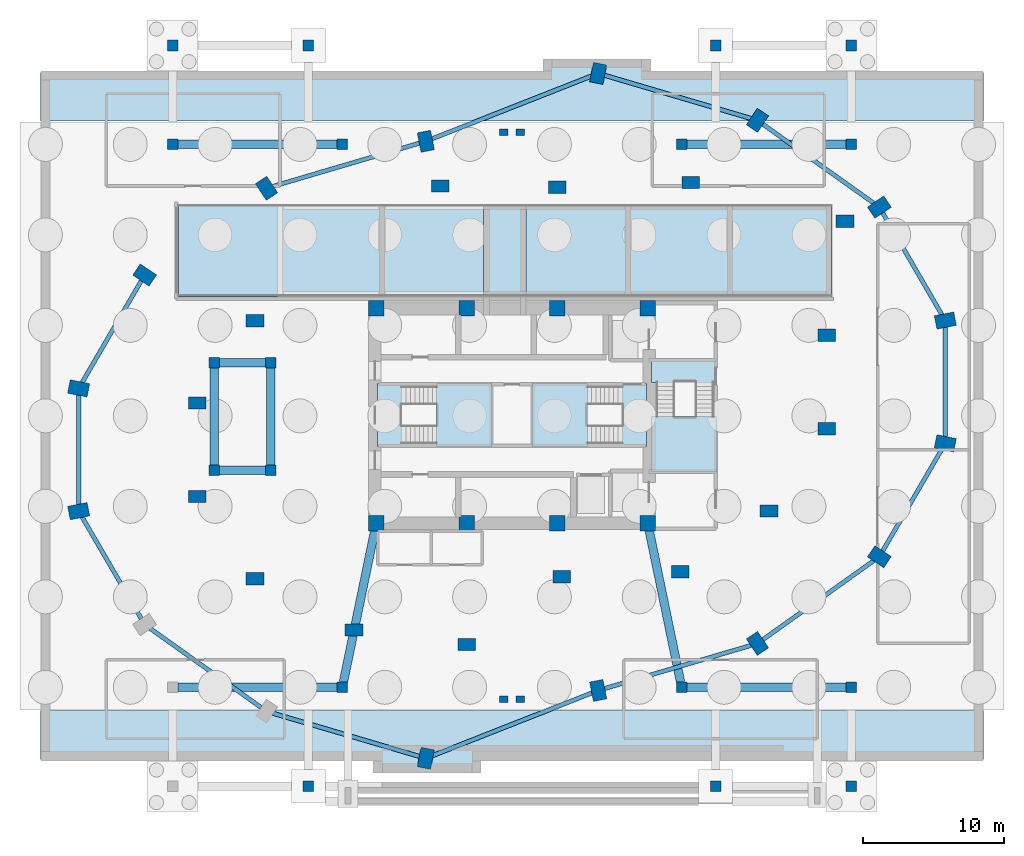
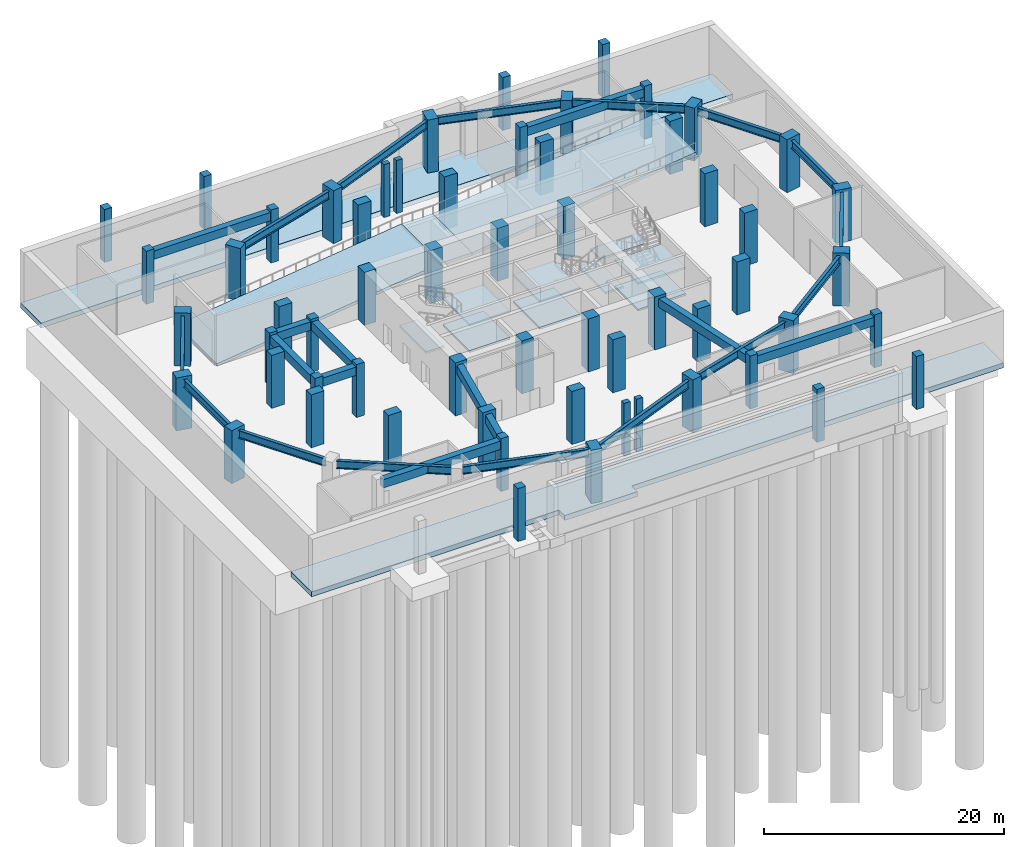
# One storey, part 2 of 8: 59 columns, 25 beams, 14 slabs, 3 elements without a shape of their own.
"""IFC4 building model written with IfcOpenShell, lengths in metres."""

from ifc_helpers import new_model, si_unit, direction, frame, origin, origin_2d, place, context, subcontext, project, spatial, polyline, rectangle, i_section, outline, extrude, material, layer, layer_set, material_profile, profile_set, type_object, element, aggregate, save


model = new_model("IFC4")

# Units and contexts
model_context = context("Model", 3, precision=1e-05, world=origin(), true_north=direction((0.0, 1.0)))
body_context = subcontext(model_context, "Body", "Model", "MODEL_VIEW")
ifc_project = project(units=[si_unit("LENGTHUNIT", "METRE"), si_unit("AREAUNIT", "SQUARE_METRE"), si_unit("VOLUMEUNIT", "CUBIC_METRE"), si_unit("PLANEANGLEUNIT", "RADIAN"), si_unit("MASSUNIT", "GRAM", prefix="KILO")], contexts=[model_context])

# Site, building, storey
site_placement = place(None, origin())
site = spatial("IfcSite", under=ifc_project, at=site_placement, CompositionType="ELEMENT")
building_placement = place(site_placement, origin())
building = spatial("IfcBuilding", under=site, at=building_placement, Name="Lazwardi Medical Tower", CompositionType="ELEMENT")
storey_placement = place(building_placement, frame((0.0, 0.0, -5.39990234375)))
storey = spatial("IfcBuildingStorey", under=building, at=storey_placement, Name="B1", CompositionType="ELEMENT", Elevation=-5.39990234375)

# Columns
ifc_material_1 = material(Name="Concrete C80/95", Category="concrete")
ifc_material_profile_1 = material_profile(ifc_material_1, rectangle(XDim=1.10009765625, YDim=1.10009765625, at=origin_2d()), Name="RC 1100x1100")
ifc_profile_set_1 = profile_set([ifc_material_profile_1], Name="Concrete C80/95")
column_type_1 = type_object("IfcColumnType", Name="COL-CC-L", PredefinedType="COLUMN", material=ifc_profile_set_1)
for number, where, z_axis, x_axis, name in (
    (1, (26.39990234375, 20.39990234375, 0.0), (0.0, 0.0, 1.0), (1.0, 0.0, 0.0), "Core column CC-01 CC1 B1"),
    (2, (32.800048828125, 20.39990234375, 0.0), (0.0, 0.0, 1.0), (1.0, 0.0, 0.0), "Core column CC-01 CC2 B1"),
    (3, (39.199951171875, 20.39990234375, 0.0), (0.0, 0.0, 1.0), (1.0, 0.0, 0.0), "Core column CC-01 CC3 B1"),
    (4, (45.60009765625, 20.39990234375, 0.0), (0.0, 0.0, 1.0), (1.0, 0.0, 0.0), "Core column CC-01 CC4 B1"),
    (5, (45.60009765625, 35.60009765625, 0.0), (0.0, 0.0, 1.0), (1.0, 0.0, 0.0), "Core column CC-01 CC5 B1"),
    (6, (39.199951171875, 35.60009765625, 0.0), (0.0, 0.0, 1.0), (1.0, 0.0, 0.0), "Core column CC-01 CC6 B1"),
    (7, (32.800048828125, 35.60009765625, 0.0), (0.0, 0.0, 1.0), (1.0, 0.0, 0.0), "Core column CC-01 CC7 B1"),
    (8, (26.39990234375, 35.60009765625, 0.0), (0.0, 0.0, 1.0), (1.0, 0.0, 0.0), "Core column CC-01 CC8 B1"),
):
    element("IfcColumn", number, at=place(storey_placement, frame(where, z_axis=z_axis, x_axis=x_axis)), inside=storey, type_object=column_type_1, Name=name, PredefinedType="COLUMN", context=body_context, shape_type="SweptSolid", body=[
        extrude(rectangle(XDim=1.10009765625, YDim=1.10009765625, at=origin_2d()), origin(), (0.0, 0.0, 1.0), 5.39990234375),
    ])
ifc_material_profile_2 = material_profile(ifc_material_1, rectangle(XDim=1.39990234375, YDim=0.9599609375, at=origin_2d()), Name="CFT-RECT 1400x960")
ifc_profile_set_2 = profile_set([ifc_material_profile_2], Name="Concrete C80/95")
column_type_2 = type_object("IfcColumnType", Name="COL-MC-B1", PredefinedType="COLUMN", material=ifc_profile_set_2)
for number, where, z_axis, x_axis, name in (
    (9, (42.0966796875, 8.577392578125, 0.0), (0.0, 0.0, 1.0), (0.195090322016, -0.980785280403, 0.0), "Mega column MC-01 M01 B1"),
    (10, (53.361572265625, 11.89990234375, 0.0), (0.0, 0.0, 1.0), (0.55557023302, -0.831469612303, 0.0), "Mega column MC-01 M02 B1"),
    (11, (61.9833984375, 18.03857421875, 0.0), (0.0, 0.0, 1.0), (0.831469612303, -0.55557023302, 0.0), "Mega column MC-01 M03 B1"),
    (12, (66.6494140625, 26.05908203125, 0.0), (0.0, 0.0, 1.0), (0.980785280403, -0.195090322016, 0.0), "Mega column MC-01 M04 B1"),
    (13, (66.6494140625, 34.74072265625, 0.0), (0.0, 0.0, 1.0), (0.980785280403, 0.195090322016, 0.0), "Mega column MC-01 M05 B1"),
    (14, (61.9833984375, 42.761474609375, 0.0), (0.0, 0.0, 1.0), (0.831469612303, 0.55557023302, 0.0), "Mega column MC-01 M06 B1"),
    (15, (53.361572265625, 48.900146484375, 0.0), (0.0, 0.0, 1.0), (0.55557023302, 0.831469612303, 0.0), "Mega column MC-01 M07 B1"),
    (16, (42.0966796875, 52.222412109375, 0.0), (0.0, 0.0, 1.0), (0.195090322016, 0.980785280403, 0.0), "Mega column MC-01 M08 B1"),
    (17, (29.9033203125, 47.422607421875, 0.0), (0.0, 0.0, 1.0), (-0.195090322016, 0.980785280403, 0.0), "Mega column MC-01 M09 B1"),
    (18, (18.638427734375, 44.10009765625, 0.0), (0.0, 0.0, 1.0), (-0.55557023302, 0.831469612303, 0.0), "Mega column MC-01 M10 B1"),
    (19, (10.0166015625, 37.96142578125, 0.0), (0.0, 0.0, 1.0), (-0.831469612303, 0.55557023302, 0.0), "Mega column MC-01 M11 B1"),
    (20, (5.3505859375, 29.94091796875, 0.0), (0.0, 0.0, 1.0), (-0.980785280403, 0.195090322016, 0.0), "Mega column MC-01 M12 B1"),
    (21, (5.3505859375, 21.25927734375, 0.0), (0.0, 0.0, 1.0), (-0.980785280403, -0.195090322016, 0.0), "Mega column MC-01 M13 B1"),
    (22, (29.9033203125, 3.777587890625, 0.0), (0.0, 0.0, 1.0), (-0.195090322016, -0.980785280403, 0.0), "Mega column MC-01 M16 B1"),
):
    element("IfcColumn", number, at=place(storey_placement, frame(where, z_axis=z_axis, x_axis=x_axis)), inside=storey, type_object=column_type_2, Name=name, PredefinedType="COLUMN", context=body_context, shape_type="SweptSolid", body=[
        extrude(rectangle(XDim=1.39990234375, YDim=0.9599609375, at=origin_2d()), origin(), (0.0, 0.0, 1.0), 5.39990234375),
    ])
ifc_material_2 = material(Name="Concrete C70/85", Category="concrete")
ifc_material_profile_3 = material_profile(ifc_material_2, rectangle(XDim=1.25, YDim=0.860107421875, at=origin_2d()), Name="CFT-RECT 1250x860")
ifc_profile_set_3 = profile_set([ifc_material_profile_3], Name="Concrete C70/85")
column_type_3 = type_object("IfcColumnType", Name="COL-MC-Z1", PredefinedType="COLUMN", material=ifc_profile_set_3)
for number, where, z_axis, x_axis, name in (
    (23, (39.52001953125, 16.625, 0.0), (0.0, 0.0, 1.0), (1.0, 0.0, 0.0), "Mega column MC-03 PM01 B1"),
    (24, (47.902099609375, 16.970947265625, 0.0), (0.0, 0.0, 1.0), (1.0, 0.0, 0.0), "Mega column MC-03 PM02 B1"),
    (25, (54.177001953125, 21.27587890625, 0.0), (0.0, 0.0, 1.0), (1.0, 0.0, 0.0), "Mega column MC-03 PM03 B1"),
    (26, (58.262939453125, 27.093994140625, 0.0), (0.0, 0.0, 1.0), (1.0, 0.0, 0.0), "Mega column MC-03 PM04 B1"),
    (27, (58.262939453125, 33.7060546875, 0.0), (0.0, 0.0, 1.0), (1.0, 0.0, 0.0), "Mega column MC-03 PM05 B1"),
    (28, (59.550048828125, 41.760009765625, 0.0), (0.0, 0.0, 1.0), (1.0, 0.0, 0.0), "Mega column MC-03 PM06 B1"),
    (29, (48.634033203125, 44.510009765625, 0.0), (0.0, 0.0, 1.0), (1.0, 0.0, 0.0), "Mega column MC-03 PM07 B1"),
    (30, (39.199951171875, 44.175048828125, 0.0), (0.0, 0.0, 1.0), (1.0, 0.0, 0.0), "Mega column MC-03 PM08 B1"),
    (31, (30.919921875, 44.25, 0.0), (0.0, 0.0, 1.0), (1.0, 0.0, 0.0), "Mega column MC-03 PM09 B1"),
    (32, (17.822998046875, 34.72412109375, 0.0), (0.0, 0.0, 1.0), (1.0, 0.0, 0.0), "Mega column MC-03 PM11 B1"),
    (33, (13.737060546875, 28.906005859375, 0.0), (0.0, 0.0, 1.0), (1.0, 0.0, 0.0), "Mega column MC-03 PM12 B1"),
    (34, (13.737060546875, 22.2939453125, 0.0), (0.0, 0.0, 1.0), (1.0, 0.0, 0.0), "Mega column MC-03 PM13 B1"),
    (35, (17.822998046875, 16.47607421875, 0.0), (0.0, 0.0, 1.0), (1.0, 0.0, 0.0), "Mega column MC-03 PM14 B1"),
    (36, (24.8291015625, 12.85302734375, 0.0), (0.0, 0.0, 1.0), (1.0, 0.0, 0.0), "Mega column MC-03 PM15 B1"),
    (37, (32.800048828125, 11.824951171875, 0.0), (0.0, 0.0, 1.0), (1.0, 0.0, 0.0), "Mega column MC-03 PM16 B1"),
):
    element("IfcColumn", number, at=place(storey_placement, frame(where, z_axis=z_axis, x_axis=x_axis)), inside=storey, type_object=column_type_3, Name=name, PredefinedType="COLUMN", context=body_context, shape_type="SweptSolid", body=[
        extrude(rectangle(XDim=1.25, YDim=0.860107421875, at=origin_2d()), origin(), (0.0, 0.0, 1.0), 5.39990234375),
    ])
ifc_material_3 = material(Name="Concrete C50/60", Category="concrete")
ifc_material_profile_4 = material_profile(ifc_material_3, rectangle(XDim=0.75, YDim=0.75, at=origin_2d()), Name="RC 750x750")
ifc_profile_set_4 = profile_set([ifc_material_profile_4], Name="Concrete C50/60")
column_type_4 = type_object("IfcColumnType", Name="COL-PC-B1", PredefinedType="COLUMN", material=ifc_profile_set_4)
for number, where, z_axis, x_axis, name in (
    (38, (24.0, 8.800048828125, 0.0), (0.0, 0.0, 1.0), (1.0, 0.0, 0.0), "Basement column PC-01 BP02"),
    (39, (48.0, 8.800048828125, 0.0), (0.0, 0.0, 1.0), (1.0, 0.0, 0.0), "Basement column PC-01 BP03"),
    (40, (60.0, 8.800048828125, 0.0), (0.0, 0.0, 1.0), (1.0, 0.0, 0.0), "Basement column PC-01 BP04"),
    (41, (12.0, 47.199951171875, 0.0), (0.0, 0.0, 1.0), (1.0, 0.0, 0.0), "Basement column PC-01 BP05"),
    (42, (24.0, 47.199951171875, 0.0), (0.0, 0.0, 1.0), (1.0, 0.0, 0.0), "Basement column PC-01 BP06"),
    (43, (48.0, 47.199951171875, 0.0), (0.0, 0.0, 1.0), (1.0, 0.0, 0.0), "Basement column PC-01 BP07"),
    (44, (60.0, 47.199951171875, 0.0), (0.0, 0.0, 1.0), (1.0, 0.0, 0.0), "Basement column PC-01 BP08"),
    (45, (14.949951171875, 24.14990234375, 0.0), (0.0, 0.0, 1.0), (1.0, 0.0, 0.0), "Basement column PC-01 ST4A"),
    (46, (18.949951171875, 24.14990234375, 0.0), (0.0, 0.0, 1.0), (1.0, 0.0, 0.0), "Basement column PC-01 ST4B"),
    (47, (18.949951171875, 31.75, 0.0), (0.0, 0.0, 1.0), (1.0, 0.0, 0.0), "Basement column PC-01 ST4C"),
    (48, (14.949951171875, 31.75, 0.0), (0.0, 0.0, 1.0), (1.0, 0.0, 0.0), "Basement column PC-01 ST4D"),
    (49, (21.60009765625, 1.800048828125, 0.0), (0.0, 0.0, 1.0), (1.0, 0.0, 0.0), "Canopy pedestal column PC-01 CN2"),
    (50, (50.39990234375, 1.800048828125, 0.0), (0.0, 0.0, 1.0), (1.0, 0.0, 0.0), "Canopy pedestal column PC-01 CN3"),
    (51, (60.0, 1.800048828125, 0.0), (0.0, 0.0, 1.0), (1.0, 0.0, 0.0), "Canopy pedestal column PC-01 CN4"),
    (52, (12.0, 54.199951171875, 0.0), (0.0, 0.0, 1.0), (1.0, 0.0, 0.0), "Canopy pedestal column PC-01 CN5"),
    (53, (21.60009765625, 54.199951171875, 0.0), (0.0, 0.0, 1.0), (1.0, 0.0, 0.0), "Canopy pedestal column PC-01 CN6"),
    (54, (50.39990234375, 54.199951171875, 0.0), (0.0, 0.0, 1.0), (1.0, 0.0, 0.0), "Canopy pedestal column PC-01 CN7"),
    (55, (60.0, 54.199951171875, 0.0), (0.0, 0.0, 1.0), (1.0, 0.0, 0.0), "Canopy pedestal column PC-01 CN8"),
):
    element("IfcColumn", number, at=place(storey_placement, frame(where, z_axis=z_axis, x_axis=x_axis)), inside=storey, type_object=column_type_4, Name=name, PredefinedType="COLUMN", context=body_context, shape_type="SweptSolid", body=[
        extrude(rectangle(XDim=0.75, YDim=0.75, at=origin_2d()), origin(), (0.0, 0.0, 1.0), 5.39990234375),
    ])
ifc_material_4 = material(Name="Concrete C60/75", Category="concrete")
ifc_material_profile_5 = material_profile(ifc_material_4, rectangle(XDim=0.60009765625, YDim=0.449951171875, at=origin_2d()), Name="RC 600x450")
ifc_profile_set_5 = profile_set([ifc_material_profile_5], Name="Concrete C60/75")
column_type_5 = type_object("IfcColumnType", Name="COL-PL-IW", PredefinedType="PILASTER", material=ifc_profile_set_5)
for number, where, z_axis, x_axis, name in (
    (56, (35.39990234375, 48.050048828125, 0.0), (0.0, 0.0, 1.0), (1.0, 0.0, 0.0), "Iwan pilaster column PL-C1 PL1 B1"),
    (57, (36.60009765625, 48.050048828125, 0.0), (0.0, 0.0, 1.0), (1.0, 0.0, 0.0), "Iwan pilaster column PL-C1 PL2 B1"),
    (58, (35.39990234375, 7.949951171875, 0.0), (0.0, 0.0, 1.0), (1.0, 0.0, 0.0), "Iwan pilaster column PL-C1 PL3 B1"),
    (59, (36.60009765625, 7.949951171875, 0.0), (0.0, 0.0, 1.0), (1.0, 0.0, 0.0), "Iwan pilaster column PL-C1 PL4 B1"),
):
    element("IfcColumn", number, at=place(storey_placement, frame(where, z_axis=z_axis, x_axis=x_axis)), inside=storey, type_object=column_type_5, Name=name, PredefinedType="PILASTER", context=body_context, shape_type="SweptSolid", body=[
        extrude(rectangle(XDim=0.60009765625, YDim=0.449951171875, at=origin_2d()), origin(), (0.0, 0.0, 1.0), 5.39990234375),
    ])

# Beams
ifc_material_profile_6 = material_profile(ifc_material_3, rectangle(XDim=0.60009765625, YDim=0.85009765625, at=origin_2d()), Name="RC 600x850")
ifc_profile_set_6 = profile_set([ifc_material_profile_6], Name="Concrete C50/60")
beam_type_1 = type_object("IfcBeamType", Name="BM-BB-RC1", PredefinedType="BEAM", material=ifc_profile_set_6)
beam_1_placement = place(storey_placement, frame((12.360107421875, 8.800048828125, 4.69482421875), z_axis=(1.0, 0.0, 0.0), x_axis=(0.0, 1.0, 0.0)))
element("IfcBeam", 60, at=beam_1_placement, inside=storey, type_object=beam_type_1, Name="Basement plaza beam BB-01 BB_01", PredefinedType="BEAM", context=body_context, shape_type="SweptSolid", body=[
    extrude(rectangle(XDim=0.60009765625, YDim=0.85009765625, at=origin_2d()), origin(), (0.0, 0.0, 1.0), 11.27978515625),
])
beam_2_placement = place(storey_placement, frame((24.072998046875, 9.152587890625, 4.69482421875), z_axis=(0.202590122425, 0.979263622471, 0.0), x_axis=(-0.979263622471, 0.202590122425, 0.0)))
element("IfcBeam", 61, at=beam_2_placement, inside=storey, type_object=beam_type_1, Name="Basement plaza beam BB-01 BB_02", PredefinedType="BEAM", context=body_context, shape_type="SweptSolid", body=[
    extrude(rectangle(XDim=0.60009765625, YDim=0.85009765625, at=origin_2d()), origin(), (0.0, 0.0, 1.0), 10.95068359375),
])
beam_3_placement = place(storey_placement, frame((48.360107421875, 8.800048828125, 4.69482421875), z_axis=(1.0, 0.0, 0.0), x_axis=(0.0, 1.0, 0.0)))
element("IfcBeam", 62, at=beam_3_placement, inside=storey, type_object=beam_type_1, Name="Basement plaza beam BB-01 BB_03", PredefinedType="BEAM", context=body_context, shape_type="SweptSolid", body=[
    extrude(rectangle(XDim=0.60009765625, YDim=0.85009765625, at=origin_2d()), origin(), (0.0, 0.0, 1.0), 11.27978515625),
])
beam_4_placement = place(storey_placement, frame((47.927001953125, 9.152587890625, 4.69482421875), z_axis=(-0.202590122425, 0.979263622471, 0.0), x_axis=(-0.979263622471, -0.202590122425, 0.0)))
element("IfcBeam", 63, at=beam_4_placement, inside=storey, type_object=beam_type_1, Name="Basement plaza beam BB-01 BB_04", PredefinedType="BEAM", context=body_context, shape_type="SweptSolid", body=[
    extrude(rectangle(XDim=0.60009765625, YDim=0.85009765625, at=origin_2d()), origin(), (0.0, 0.0, 1.0), 10.95068359375),
])
for number, where, z_axis, x_axis, name in (
    (64, (12.360107421875, 47.199951171875, 4.69482421875), (1.0, 0.0, 0.0), (0.0, 1.0, 0.0), "Basement plaza beam BB-01 BB_05"),
    (65, (48.360107421875, 47.199951171875, 4.69482421875), (1.0, 0.0, 0.0), (0.0, 1.0, 0.0), "Basement plaza beam BB-01 BB_06"),
):
    element("IfcBeam", number, at=place(storey_placement, frame(where, z_axis=z_axis, x_axis=x_axis)), inside=storey, type_object=beam_type_1, Name=name, PredefinedType="BEAM", context=body_context, shape_type="SweptSolid", body=[
        extrude(rectangle(XDim=0.60009765625, YDim=0.85009765625, at=origin_2d()), origin(), (0.0, 0.0, 1.0), 11.27978515625),
    ])
for number, where, z_axis, x_axis, name in (
    (66, (15.31005859375, 24.14990234375, 4.69482421875), (1.0, 0.0, 0.0), (0.0, 1.0, 0.0), "Basement plaza beam BB-01 BB_ST4_S"),
    (67, (15.31005859375, 31.75, 4.69482421875), (1.0, 0.0, 0.0), (0.0, 1.0, 0.0), "Basement plaza beam BB-01 BB_ST4_N"),
):
    element("IfcBeam", number, at=place(storey_placement, frame(where, z_axis=z_axis, x_axis=x_axis)), inside=storey, type_object=beam_type_1, Name=name, PredefinedType="BEAM", context=body_context, shape_type="SweptSolid", body=[
        extrude(rectangle(XDim=0.60009765625, YDim=0.85009765625, at=origin_2d()), origin(), (0.0, 0.0, 1.0), 3.280029296875),
    ])
for number, where, z_axis, x_axis, name in (
    (68, (14.949951171875, 24.510009765625, 4.69482421875), (0.0, 1.0, 0.0), (-1.0, 0.0, 0.0), "Basement plaza beam BB-01 BB_ST4_W"),
    (69, (18.949951171875, 24.510009765625, 4.69482421875), (0.0, 1.0, 0.0), (-1.0, 0.0, 0.0), "Basement plaza beam BB-01 BB_ST4_E"),
):
    element("IfcBeam", number, at=place(storey_placement, frame(where, z_axis=z_axis, x_axis=x_axis)), inside=storey, type_object=beam_type_1, Name=name, PredefinedType="BEAM", context=body_context, shape_type="SweptSolid", body=[
        extrude(rectangle(XDim=0.60009765625, YDim=0.85009765625, at=origin_2d()), origin(), (0.0, 0.0, 1.0), 6.8798828125),
    ])
ifc_material_5 = material(Name="Steel S355", Category="steel")
ifc_material_profile_7 = material_profile(ifc_material_5, i_section(OverallWidth=0.300048828125, OverallDepth=0.800048828125, WebThickness=0.017578125, FlangeThickness=0.032958984375, at=origin_2d()), Name="HEB 800")
ifc_profile_set_7 = profile_set([ifc_material_profile_7], Name="Steel S355")
beam_type_2 = type_object("IfcBeamType", Name="BM-RB-P1", PredefinedType="BEAM", material=ifc_profile_set_7)
beam_5_placement = place(storey_placement, frame((42.54736328125, 8.71044921875, 4.719970703125), z_axis=(0.959157275854, 0.282873328852, 0.0), x_axis=(-0.282873328852, 0.959157275854, 0.0)))
element("IfcBeam", 70, at=beam_5_placement, inside=storey, type_object=beam_type_2, Name="Ring beam RB-01 B01 B1", PredefinedType="BEAM", context=body_context, shape_type="SweptSolid", body=[
    extrude(i_section(OverallWidth=0.300048828125, OverallDepth=0.800048828125, WebThickness=0.017578125, FlangeThickness=0.032958984375, at=origin_2d()), origin(), (0.0, 0.0, 1.0), 10.804931640625),
])
beam_6_placement = place(storey_placement, frame((53.744384765625, 12.17236328125, 4.719970703125), z_axis=(0.814606597705, 0.580013871364, 0.0), x_axis=(-0.580013871364, 0.814606597705, 0.0)))
element("IfcBeam", 71, at=beam_6_placement, inside=storey, type_object=beam_type_2, Name="Ring beam RB-01 B02 B1", PredefinedType="BEAM", context=body_context, shape_type="SweptSolid", body=[
    extrude(i_section(OverallWidth=0.300048828125, OverallDepth=0.800048828125, WebThickness=0.017578125, FlangeThickness=0.032958984375, at=origin_2d()), origin(), (0.0, 0.0, 1.0), 9.644287109375),
])
beam_7_placement = place(storey_placement, frame((62.2197265625, 18.44482421875, 4.719970703125), z_axis=(0.502858581649, 0.864368698451, 0.0), x_axis=(-0.864368698451, 0.502858581649, 0.0)))
element("IfcBeam", 72, at=beam_7_placement, inside=storey, type_object=beam_type_2, Name="Ring beam RB-01 B03 B1", PredefinedType="BEAM", context=body_context, shape_type="SweptSolid", body=[
    extrude(i_section(OverallWidth=0.300048828125, OverallDepth=0.800048828125, WebThickness=0.017578125, FlangeThickness=0.032958984375, at=origin_2d()), origin(), (0.0, 0.0, 1.0), 8.339111328125),
])
beam_8_placement = place(storey_placement, frame((66.6494140625, 26.529296875, 4.719970703125), z_axis=(0.0, 1.0, 0.0), x_axis=(-1.0, 0.0, 0.0)))
element("IfcBeam", 73, at=beam_8_placement, inside=storey, type_object=beam_type_2, Name="Ring beam RB-01 B04 B1", PredefinedType="BEAM", context=body_context, shape_type="SweptSolid", body=[
    extrude(i_section(OverallWidth=0.300048828125, OverallDepth=0.800048828125, WebThickness=0.017578125, FlangeThickness=0.032958984375, at=origin_2d()), origin(), (0.0, 0.0, 1.0), 7.741455078125),
])
beam_9_placement = place(storey_placement, frame((66.4130859375, 35.147216796875, 4.719970703125), z_axis=(-0.502871307237, 0.864361295037, 0.0), x_axis=(-0.864361295037, -0.502871307237, 0.0)))
element("IfcBeam", 74, at=beam_9_placement, inside=storey, type_object=beam_type_2, Name="Ring beam RB-01 B05 B1", PredefinedType="BEAM", context=body_context, shape_type="SweptSolid", body=[
    extrude(i_section(OverallWidth=0.300048828125, OverallDepth=0.800048828125, WebThickness=0.017578125, FlangeThickness=0.032958984375, at=origin_2d()), origin(), (0.0, 0.0, 1.0), 8.3388671875),
])
beam_10_placement = place(storey_placement, frame((61.6005859375, 43.033935546875, 4.719970703125), z_axis=(-0.814606597705, 0.580013871364, 0.0), x_axis=(-0.580013871364, -0.814606597705, 0.0)))
element("IfcBeam", 75, at=beam_10_placement, inside=storey, type_object=beam_type_2, Name="Ring beam RB-01 B06 B1", PredefinedType="BEAM", context=body_context, shape_type="SweptSolid", body=[
    extrude(i_section(OverallWidth=0.300048828125, OverallDepth=0.800048828125, WebThickness=0.017578125, FlangeThickness=0.032958984375, at=origin_2d()), origin(), (0.0, 0.0, 1.0), 9.644287109375),
])
beam_11_placement = place(storey_placement, frame((52.910888671875, 49.033203125, 4.719970703125), z_axis=(-0.959157275854, 0.282873328852, 0.0), x_axis=(-0.282873328852, -0.959157275854, 0.0)))
element("IfcBeam", 76, at=beam_11_placement, inside=storey, type_object=beam_type_2, Name="Ring beam RB-01 B07 B1", PredefinedType="BEAM", context=body_context, shape_type="SweptSolid", body=[
    extrude(i_section(OverallWidth=0.300048828125, OverallDepth=0.800048828125, WebThickness=0.017578125, FlangeThickness=0.032958984375, at=origin_2d()), origin(), (0.0, 0.0, 1.0), 10.804931640625),
])
beam_12_placement = place(storey_placement, frame((41.6591796875, 52.05029296875, 4.719970703125), z_axis=(-0.930497552563, -0.366298109022, 0.0), x_axis=(0.366298109022, -0.930497552563, 0.0)))
element("IfcBeam", 77, at=beam_12_placement, inside=storey, type_object=beam_type_2, Name="Ring beam RB-01 B08 B1", PredefinedType="BEAM", context=body_context, shape_type="SweptSolid", body=[
    extrude(i_section(OverallWidth=0.300048828125, OverallDepth=0.800048828125, WebThickness=0.017578125, FlangeThickness=0.032958984375, at=origin_2d()), origin(), (0.0, 0.0, 1.0), 12.163818359375),
])
beam_13_placement = place(storey_placement, frame((29.45263671875, 47.28955078125, 4.719970703125), z_axis=(-0.959157275854, -0.282873328852, 0.0), x_axis=(0.282873328852, -0.959157275854, 0.0)))
element("IfcBeam", 78, at=beam_13_placement, inside=storey, type_object=beam_type_2, Name="Ring beam RB-01 B09 B1", PredefinedType="BEAM", context=body_context, shape_type="SweptSolid", body=[
    extrude(i_section(OverallWidth=0.300048828125, OverallDepth=0.800048828125, WebThickness=0.017578125, FlangeThickness=0.032958984375, at=origin_2d()), origin(), (0.0, 0.0, 1.0), 10.804931640625),
])
beam_14_placement = place(storey_placement, frame((9.7802734375, 37.55517578125, 4.719970703125), z_axis=(-0.502858581649, -0.864368698451, 0.0), x_axis=(0.864368698451, -0.502858581649, 0.0)))
element("IfcBeam", 79, at=beam_14_placement, inside=storey, type_object=beam_type_2, Name="Ring beam RB-01 B11 B1", PredefinedType="BEAM", context=body_context, shape_type="SweptSolid", body=[
    extrude(i_section(OverallWidth=0.300048828125, OverallDepth=0.800048828125, WebThickness=0.017578125, FlangeThickness=0.032958984375, at=origin_2d()), origin(), (0.0, 0.0, 1.0), 8.339111328125),
])
beam_15_placement = place(storey_placement, frame((5.3505859375, 29.470703125, 4.719970703125), z_axis=(0.0, -1.0, 0.0), x_axis=(1.0, 0.0, 0.0)))
element("IfcBeam", 80, at=beam_15_placement, inside=storey, type_object=beam_type_2, Name="Ring beam RB-01 B12 B1", PredefinedType="BEAM", context=body_context, shape_type="SweptSolid", body=[
    extrude(i_section(OverallWidth=0.300048828125, OverallDepth=0.800048828125, WebThickness=0.017578125, FlangeThickness=0.032958984375, at=origin_2d()), origin(), (0.0, 0.0, 1.0), 7.741455078125),
])
beam_16_placement = place(storey_placement, frame((5.5869140625, 20.852783203125, 4.719970703125), z_axis=(0.502871307237, -0.864361295037, 0.0), x_axis=(0.864361295037, 0.502871307237, 0.0)))
element("IfcBeam", 81, at=beam_16_placement, inside=storey, type_object=beam_type_2, Name="Ring beam RB-01 B13 B1", PredefinedType="BEAM", context=body_context, shape_type="SweptSolid", body=[
    extrude(i_section(OverallWidth=0.300048828125, OverallDepth=0.800048828125, WebThickness=0.017578125, FlangeThickness=0.032958984375, at=origin_2d()), origin(), (0.0, 0.0, 1.0), 8.3388671875),
])
beam_17_placement = place(storey_placement, frame((10.3994140625, 12.966064453125, 4.719970703125), z_axis=(0.814606597705, -0.580013871364, 0.0), x_axis=(0.580013871364, 0.814606597705, 0.0)))
element("IfcBeam", 82, at=beam_17_placement, inside=storey, type_object=beam_type_2, Name="Ring beam RB-01 B14 B1", PredefinedType="BEAM", context=body_context, shape_type="SweptSolid", body=[
    extrude(i_section(OverallWidth=0.300048828125, OverallDepth=0.800048828125, WebThickness=0.017578125, FlangeThickness=0.032958984375, at=origin_2d()), origin(), (0.0, 0.0, 1.0), 9.644287109375),
])
beam_18_placement = place(storey_placement, frame((19.089111328125, 6.966796875, 4.719970703125), z_axis=(0.959157275854, -0.282873328852, 0.0), x_axis=(0.282873328852, 0.959157275854, 0.0)))
element("IfcBeam", 83, at=beam_18_placement, inside=storey, type_object=beam_type_2, Name="Ring beam RB-01 B15 B1", PredefinedType="BEAM", context=body_context, shape_type="SweptSolid", body=[
    extrude(i_section(OverallWidth=0.300048828125, OverallDepth=0.800048828125, WebThickness=0.017578125, FlangeThickness=0.032958984375, at=origin_2d()), origin(), (0.0, 0.0, 1.0), 10.804931640625),
])
beam_19_placement = place(storey_placement, frame((30.3408203125, 3.94970703125, 4.719970703125), z_axis=(0.930497552563, 0.366298109022, 0.0), x_axis=(-0.366298109022, 0.930497552563, 0.0)))
element("IfcBeam", 84, at=beam_19_placement, inside=storey, type_object=beam_type_2, Name="Ring beam RB-01 B16 B1", PredefinedType="BEAM", context=body_context, shape_type="SweptSolid", body=[
    extrude(i_section(OverallWidth=0.300048828125, OverallDepth=0.800048828125, WebThickness=0.017578125, FlangeThickness=0.032958984375, at=origin_2d()), origin(), (0.0, 0.0, 1.0), 12.163818359375),
])

# Slabs
ifc_layer_1 = layer(ifc_material_3, 0.5)
ifc_layer_set_1 = layer_set([ifc_layer_1], Name="Concrete C50/60")
slab_type_1 = type_object("IfcSlabType", Name="SLB-BASE-500", PredefinedType="BASESLAB", material=ifc_layer_set_1)
slab_1_placement = place(storey_placement, frame((0.0, 0.0, -0.5)))
element("IfcSlab", 85, at=slab_1_placement, inside=storey, type_object=slab_type_1, Name="Basement south structural base slab SB-01", PredefinedType="BASESLAB", context=body_context, shape_type="SweptSolid", body=[
    extrude(outline(polyline([(33.5, 3.699951171875), (69.35009765625, 3.699951171875), (69.35009765625, 7.14990234375), (2.64990234375, 7.14990234375), (2.64990234375, 3.699951171875), (26.5, 3.699951171875), (26.5, 2.75), (33.5, 2.75), (33.5, 3.699951171875)])), origin(), (0.0, 0.0, 1.0), 0.5),
])
slab_2_placement = place(storey_placement, frame((0.0, 0.0, -0.5)))
element("IfcSlab", 86, at=slab_2_placement, inside=storey, type_object=slab_type_1, Name="Basement north structural base slab SB-01", PredefinedType="BASESLAB", context=body_context, shape_type="SweptSolid", body=[
    extrude(outline(polyline([(45.5, 52.300048828125), (45.5, 53.25), (38.5, 53.25), (38.5, 52.300048828125), (2.64990234375, 52.300048828125), (2.64990234375, 48.85009765625), (69.35009765625, 48.85009765625), (69.35009765625, 52.300048828125), (45.5, 52.300048828125)])), origin(), (0.0, 0.0, 1.0), 0.5),
])

# Stair, slabs
ifc_material_6 = material(Name="Concrete C45/55", Category="concrete")
stair_type = type_object("IfcStairType", Name="STR-B1", PredefinedType="HALF_TURN_STAIR", material=ifc_material_6)
stair_1_placement = place(storey_placement, origin())
stair_1 = element("IfcStair", 87, at=stair_1_placement, inside=storey, type_object=stair_type, Name="B1 Protected Exit Stair ST1", PredefinedType="HALF_TURN_STAIR")
ifc_layer_2 = layer(ifc_material_6, 0.199951171875)
ifc_layer_set_2 = layer_set([ifc_layer_2], Name="Concrete C45/55")
slab_type_2 = type_object("IfcSlabType", Name="SLB-LND-190", PredefinedType="LANDING", material=ifc_layer_set_2)
slab_3_placement = place(storey_placement, frame((0.0, 0.0, 1.14990234375)))
slab_3 = element("IfcSlab", 88, at=slab_3_placement, type_object=slab_type_2, Name="ST1 landing 1", PredefinedType="LANDING", context=body_context, shape_type="SweptSolid", body=[
    extrude(outline(polyline([(30.655029296875, 25.840087890625), (34.580078125, 25.840087890625), (34.580078125, 30.280029296875), (30.655029296875, 30.280029296875), (30.655029296875, 25.840087890625)])), origin(), (0.0, 0.0, 1.0), 0.199951171875),
])
slab_4_placement = place(storey_placement, frame((0.0, 0.0, 2.5)))
slab_4 = element("IfcSlab", 89, at=slab_4_placement, type_object=slab_type_2, Name="ST1 landing 2", PredefinedType="LANDING", context=body_context, shape_type="SweptSolid", body=[
    extrude(outline(polyline([(26.47998046875, 25.840087890625), (28.22509765625, 25.840087890625), (28.22509765625, 30.280029296875), (26.47998046875, 30.280029296875), (26.47998046875, 25.840087890625)])), origin(), (0.0, 0.0, 1.0), 0.199951171875),
])
slab_5_placement = place(storey_placement, frame((0.0, 0.0, 3.849853515625)))
slab_5 = element("IfcSlab", 90, at=slab_5_placement, type_object=slab_type_2, Name="ST1 landing 3", PredefinedType="LANDING", context=body_context, shape_type="SweptSolid", body=[
    extrude(outline(polyline([(30.655029296875, 25.840087890625), (34.580078125, 25.840087890625), (34.580078125, 30.280029296875), (30.655029296875, 30.280029296875), (30.655029296875, 25.840087890625)])), origin(), (0.0, 0.0, 1.0), 0.199951171875),
])
aggregate(stair_1, [slab_3, slab_4, slab_5])

stair_2_placement = place(storey_placement, origin())
stair_2 = element("IfcStair", 91, at=stair_2_placement, inside=storey, type_object=stair_type, Name="B1 Protected Exit Stair ST2", PredefinedType="HALF_TURN_STAIR")
slab_6_placement = place(storey_placement, frame((0.0, 0.0, 1.14990234375)))
slab_6 = element("IfcSlab", 92, at=slab_6_placement, type_object=slab_type_2, Name="ST2 landing 1", PredefinedType="LANDING", context=body_context, shape_type="SweptSolid", body=[
    extrude(outline(polyline([(41.344970703125, 30.280029296875), (37.419921875, 30.280029296875), (37.419921875, 25.840087890625), (41.344970703125, 25.840087890625), (41.344970703125, 30.280029296875)])), origin(), (0.0, 0.0, 1.0), 0.199951171875),
])
slab_7_placement = place(storey_placement, frame((0.0, 0.0, 2.5)))
slab_7 = element("IfcSlab", 93, at=slab_7_placement, type_object=slab_type_2, Name="ST2 landing 2", PredefinedType="LANDING", context=body_context, shape_type="SweptSolid", body=[
    extrude(outline(polyline([(45.52001953125, 30.280029296875), (43.77490234375, 30.280029296875), (43.77490234375, 25.840087890625), (45.52001953125, 25.840087890625), (45.52001953125, 30.280029296875)])), origin(), (0.0, 0.0, 1.0), 0.199951171875),
])
slab_8_placement = place(storey_placement, frame((0.0, 0.0, 3.849853515625)))
slab_8 = element("IfcSlab", 94, at=slab_8_placement, type_object=slab_type_2, Name="ST2 landing 3", PredefinedType="LANDING", context=body_context, shape_type="SweptSolid", body=[
    extrude(outline(polyline([(41.344970703125, 30.280029296875), (37.419921875, 30.280029296875), (37.419921875, 25.840087890625), (41.344970703125, 25.840087890625), (41.344970703125, 30.280029296875)])), origin(), (0.0, 0.0, 1.0), 0.199951171875),
])
aggregate(stair_2, [slab_6, slab_7, slab_8])

stair_3_placement = place(storey_placement, origin())
stair_3 = element("IfcStair", 95, at=stair_3_placement, inside=storey, type_object=stair_type, Name="B1 Protected Exit Stair ST3", PredefinedType="HALF_TURN_STAIR")
slab_9_placement = place(storey_placement, frame((0.0, 0.0, 1.14990234375)))
slab_9 = element("IfcSlab", 96, at=slab_9_placement, type_object=slab_type_2, Name="ST3 landing 1", PredefinedType="LANDING", context=body_context, shape_type="SweptSolid", body=[
    extrude(outline(polyline([(45.860107421875, 27.945068359375), (45.860107421875, 24.02001953125), (50.4599609375, 24.02001953125), (50.4599609375, 27.945068359375), (45.860107421875, 27.945068359375)])), origin(), (0.0, 0.0, 1.0), 0.199951171875),
])
slab_10_placement = place(storey_placement, frame((0.0, 0.0, 2.5)))
slab_10 = element("IfcSlab", 97, at=slab_10_placement, type_object=slab_type_2, Name="ST3 landing 2", PredefinedType="LANDING", context=body_context, shape_type="SweptSolid", body=[
    extrude(outline(polyline([(45.860107421875, 32.02001953125), (45.860107421875, 30.375), (50.4599609375, 30.375), (50.4599609375, 32.02001953125), (45.860107421875, 32.02001953125)])), origin(), (0.0, 0.0, 1.0), 0.199951171875),
])
slab_11_placement = place(storey_placement, frame((0.0, 0.0, 3.849853515625)))
slab_11 = element("IfcSlab", 98, at=slab_11_placement, type_object=slab_type_2, Name="ST3 landing 3", PredefinedType="LANDING", context=body_context, shape_type="SweptSolid", body=[
    extrude(outline(polyline([(45.860107421875, 27.945068359375), (45.860107421875, 24.02001953125), (50.4599609375, 24.02001953125), (50.4599609375, 27.945068359375), (45.860107421875, 27.945068359375)])), origin(), (0.0, 0.0, 1.0), 0.199951171875),
])
aggregate(stair_3, [slab_9, slab_10, slab_11])

# Slabs
ifc_layer_3 = layer(ifc_material_6, 0.300048828125)
ifc_layer_set_3 = layer_set([ifc_layer_3], Name="Concrete C45/55")
slab_type_3 = type_object("IfcSlabType", Name="SLB-VRMP-300", PredefinedType="FLOOR", material=ifc_layer_set_3)
slab_12_placement = place(storey_placement, frame((12.39990234375, 36.39990234375, 0.0), z_axis=(-0.124031973856, 0.0, 0.992278221801), x_axis=(0.0, 1.0, 0.0)))
element("IfcSlab", 99, at=slab_12_placement, inside=storey, type_object=slab_type_3, Name="B1 Car Park Vehicle Ramp Slab 1 VR-01", PredefinedType="FLOOR", context=body_context, shape_type="SweptSolid", body=[
    extrude(outline(polyline([(0.0, 0.0), (6.60009765625, 0.0), (6.60009765625, -21.768186766243208), (0.0, -21.768186766243208), (0.0, 0.0)])), origin(), (0.0, 0.0, -1.0), 0.300048828125),
])
slab_13_placement = place(storey_placement, frame((0.0, 0.0, 2.39990234375)))
element("IfcSlab", 100, at=slab_13_placement, inside=storey, type_object=slab_type_3, Name="B1 Car Park Vehicle Ramp Mid-Landing Slab VR-01", PredefinedType="FLOOR", context=body_context, shape_type="SweptSolid", body=[
    extrude(outline(polyline([(34.0, 36.39990234375), (37.0, 36.39990234375), (37.0, 43.0), (34.0, 43.0), (34.0, 36.39990234375)])), origin(), (0.0, 0.0, 1.0), 0.300048828125),
])
slab_14_placement = place(storey_placement, frame((37.0, 36.39990234375, 2.699951171875), z_axis=(-0.124031973856, 0.0, 0.992278221801), x_axis=(0.0, 1.0, 0.0)))
element("IfcSlab", 101, at=slab_14_placement, inside=storey, type_object=slab_type_3, Name="B1 Car Park Vehicle Ramp Slab 2 VR-01", PredefinedType="FLOOR", context=body_context, shape_type="SweptSolid", body=[
    extrude(outline(polyline([(0.0, 0.0), (6.60009765625, 0.0), (6.60009765625, -21.768186766243208), (0.0, -21.768186766243208), (0.0, 0.0)])), origin(), (0.0, 0.0, -1.0), 0.300048828125),
])

save(model, "model.ifc")
